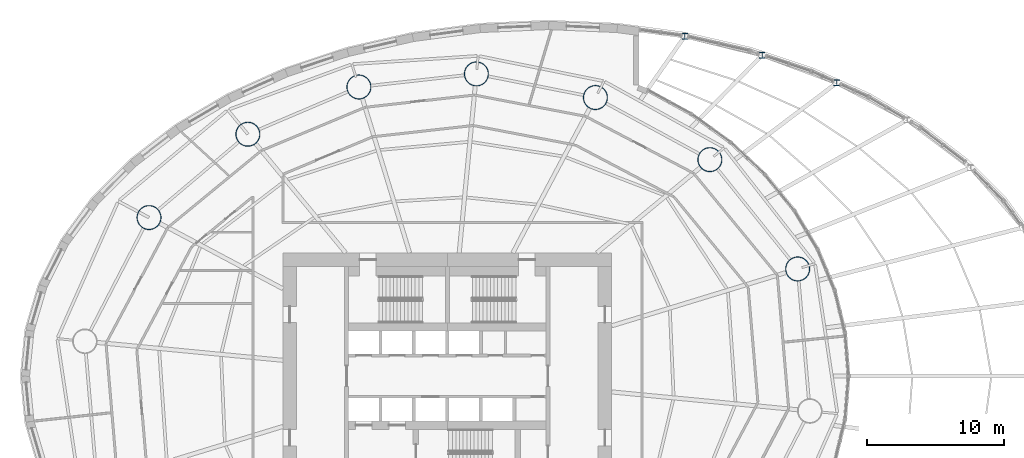
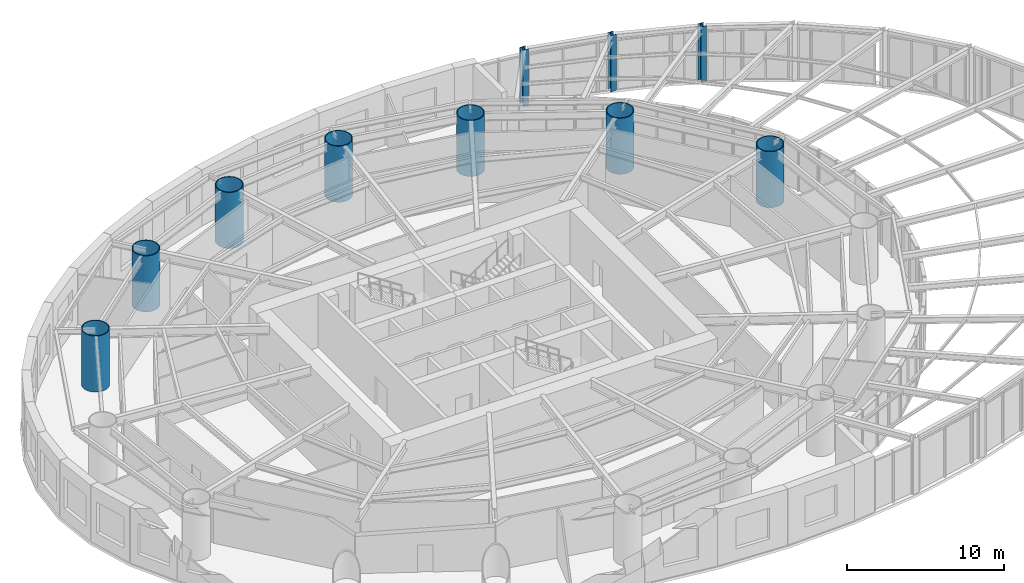
# One storey, part 2 of 23: 10 columns.
"""IFC4 building model written with IfcOpenShell, lengths in metres."""

import ifcopenshell
import ifcopenshell.guid

model = None  # the IFC model being written
_history = None  # IfcOwnerHistory: only IFC2X3 demands one
_inside = {}  # id of a spatial element -> (the spatial element, [elements in it])
_under = {}  # id of a project, library or spatial element -> (it, [spatial elements below it])
_declared = {}  # id of a project -> (the project, [libraries it declares])
_typed = {}  # id of a type object -> (the type object, [elements of that type])
_made_of = {}  # id of a material, layer set ... -> (it, [elements and type objects made of it])


def new_model(schema):
    """Start an empty IFC model of exactly this schema.

    Asked for "IFC4X3", IfcOpenShell would pick the latest addendum, in which some entities
    have other attributes; the version numbers below select the first issue.
    IFC2X3 requires an IfcOwnerHistory on every rooted entity: one is made here for all.
    """
    global model, _history
    if schema == "IFC4X3":
        model = ifcopenshell.file(schema_version=(4, 3, 0, 0))
    else:
        model = ifcopenshell.file(schema=schema)
    _inside.clear()
    _under.clear()
    _declared.clear()
    _typed.clear()
    _made_of.clear()
    _history = None
    if model.schema == "IFC2X3":
        org = make("IfcOrganization", Name="unknown")
        user = make(
            "IfcPersonAndOrganization",
            ThePerson=make("IfcPerson", FamilyName="unknown"),
            TheOrganization=org,
        )
        app = make(
            "IfcApplication",
            ApplicationDeveloper=org,
            Version="unknown",
            ApplicationFullName="unknown",
            ApplicationIdentifier="unknown",
        )
        _history = make(
            "IfcOwnerHistory",
            OwningUser=user,
            OwningApplication=app,
            ChangeAction="ADDED",
            CreationDate=0,
        )
    return model


def make(cls, **values):
    """One entity of the class cls with the attributes given. An attribute that is None is left unset."""
    return model.create_entity(
        cls, **{name: value for name, value in values.items() if value is not None}
    )


def rooted(cls, **values):
    """An entity with a GlobalId (a new one), such as an element, a storey or a relation."""
    return make(cls, GlobalId=ifcopenshell.guid.new(), OwnerHistory=_history, **values)


def si_unit(unit_type, name, prefix=None):
    """IfcSIUnit, for example si_unit("LENGTHUNIT", "METRE", prefix="MILLI")."""
    return make("IfcSIUnit", UnitType=unit_type, Prefix=prefix, Name=name)


def assignment(units):
    """IfcUnitAssignment: the units of a project."""
    return None if units is None else make("IfcUnitAssignment", Units=units)


def point(xyz):
    """IfcCartesianPoint."""
    return None if xyz is None else make("IfcCartesianPoint", Coordinates=xyz)


def direction(xyz):
    """IfcDirection."""
    return None if xyz is None else make("IfcDirection", DirectionRatios=xyz)


def frame(location, z_axis=None, x_axis=None):
    """IfcAxis2Placement3D, a coordinate frame: its origin and axes. An axis left out is left unset."""
    return make(
        "IfcAxis2Placement3D",
        Location=point(location),
        Axis=direction(z_axis),
        RefDirection=direction(x_axis),
    )


def frame_2d(location, x_axis=None):
    """IfcAxis2Placement2D, a coordinate frame in the plane: its origin and x axis."""
    return make(
        "IfcAxis2Placement2D", Location=point(location), RefDirection=direction(x_axis)
    )


def origin():
    """The frame at (0, 0, 0) with its axes left unset."""
    return frame((0.0, 0.0, 0.0))


def origin_2d():
    """The frame at (0, 0) in the plane with its x axis left unset."""
    return frame_2d((0.0, 0.0))


def place(relative_to, where):
    """IfcLocalPlacement: puts the frame where relative to a parent placement (None: the world)."""
    return make(
        "IfcLocalPlacement", PlacementRelTo=relative_to, RelativePlacement=where
    )


def context(
    kind, dimensions, precision=None, world=None, true_north=None, identifier=None
):
    """IfcGeometricRepresentationContext, for example the 3D "Model" context."""
    return make(
        "IfcGeometricRepresentationContext",
        ContextIdentifier=identifier,
        ContextType=kind,
        CoordinateSpaceDimension=dimensions,
        Precision=precision,
        WorldCoordinateSystem=world,
        TrueNorth=true_north,
    )


def subcontext(parent, identifier, kind, view, scale=None):
    """IfcGeometricRepresentationSubContext, for example "Body" below "Model"."""
    return make(
        "IfcGeometricRepresentationSubContext",
        ContextIdentifier=identifier,
        ContextType=kind,
        ParentContext=parent,
        TargetScale=scale,
        TargetView=view,
    )


def project(units=None, contexts=None):
    """IfcProject with its units and contexts."""
    return rooted(
        "IfcProject",
        Name="project",
        RepresentationContexts=contexts,
        UnitsInContext=assignment(units),
    )


def spatial(cls, under=None, at=None, **own):
    """A site, building, storey or space (cls), placed at a placement, below another one or the project."""
    s = rooted(cls, ObjectPlacement=at, **own)
    if under is not None:
        _under.setdefault(under.id(), (under, []))[1].append(s)
    return s


def profile(cls, at=None, kind="AREA", **sizes):
    """A parametric profile (cls). Its sizes go by their IFC names, for example OverallWidth=200.0."""
    return make(cls, ProfileType=kind, Position=at, **sizes)


def hollow_circle(**sizes):
    """IfcCircleHollowProfileDef."""
    return profile("IfcCircleHollowProfileDef", **sizes)


def i_section(**sizes):
    """IfcIShapeProfileDef."""
    return profile("IfcIShapeProfileDef", **sizes)


def extrude(swept, where, along, depth):
    """IfcExtrudedAreaSolid: the profile swept, set in the frame where, extruded along a direction by depth."""
    return make(
        "IfcExtrudedAreaSolid",
        SweptArea=swept,
        Position=where,
        ExtrudedDirection=direction(along),
        Depth=depth,
    )


def shape(context_of_items, identifier, shape_type, items):
    """IfcShapeRepresentation: the items that make up one representation, for example the "Body"."""
    return make(
        "IfcShapeRepresentation",
        ContextOfItems=context_of_items,
        RepresentationIdentifier=identifier,
        RepresentationType=shape_type,
        Items=items,
    )


def material(Name=None, Category=None):
    """IfcMaterial."""
    return make("IfcMaterial", Name=Name, Category=Category)


def material_profile(
    of_material, cross_section, Name=None, Category=None, Priority=None
):
    """IfcMaterialProfile: a cross section and its material."""
    return make(
        "IfcMaterialProfile",
        Name=Name,
        Material=of_material,
        Profile=cross_section,
        Priority=Priority,
        Category=Category,
    )


def profile_set(profiles, Name=None, composite=None):
    """IfcMaterialProfileSet."""
    return make(
        "IfcMaterialProfileSet",
        Name=Name,
        MaterialProfiles=profiles,
        CompositeProfile=composite,
    )


def made_of(thing, what):
    """Note that an element or type object is made of a material, layer set ...; save() writes the relation."""
    if what is not None:
        _made_of.setdefault(what.id(), (what, []))[1].append(thing)
    return thing


def type_object(cls, material=None, **own):
    """A type object (cls), such as IfcWallType, which elements share."""
    return made_of(rooted(cls, **own), material)


def element(
    cls,
    number,
    at=None,
    inside=None,
    cuts=None,
    type_object=None,
    material=None,
    context=None,
    identifier="Body",
    shape_type=None,
    held_by="IfcProductDefinitionShape",
    body=None,
    shapes=None,
    **own,
):
    """One element of the class cls, such as IfcWall. Its Tag is "e" and its number.

    at: its placement. inside: the storey or other place that contains it. cuts: it is an
    opening in that element (IfcRelVoidsElement). A single representation is given by context,
    identifier, shape_type and body (its items); several are given by shapes. held_by: the class
    of the entity that holds the representations. save() writes the other relations.
    """
    e = rooted(cls, Tag="e%d" % number, ObjectPlacement=at, **own)
    if body is not None:
        shapes = [shape(context, identifier, shape_type, body)]
    if shapes is not None:
        e.Representation = make(held_by, Representations=shapes)
    if inside is not None:
        _inside.setdefault(inside.id(), (inside, []))[1].append(e)
    if cuts is not None:
        rooted(
            "IfcRelVoidsElement", RelatingBuildingElement=cuts, RelatedOpeningElement=e
        )
    if type_object is not None:
        _typed.setdefault(type_object.id(), (type_object, []))[1].append(e)
    return made_of(e, material)


def aggregate(whole, parts):
    """IfcRelAggregates: a whole, such as a stair, and the parts it consists of."""
    return rooted("IfcRelAggregates", RelatingObject=whole, RelatedObjects=parts)


def save(model, path):
    """Write the relations noted so far, then the file.

    IfcRelAggregates (storeys below a building ...), IfcRelContainedInSpatialStructure (elements
    in a storey), IfcRelDefinesByType, IfcRelAssociatesMaterial and IfcRelDeclares: one each for
    every whole, place, type object, material and project.
    """
    for whole, parts in _under.values():
        aggregate(whole, parts)
    for where, things in _inside.values():
        rooted(
            "IfcRelContainedInSpatialStructure",
            RelatedElements=things,
            RelatingStructure=where,
        )
    for kind, things in _typed.values():
        rooted("IfcRelDefinesByType", RelatedObjects=things, RelatingType=kind)
    for what, things in _made_of.values():
        rooted("IfcRelAssociatesMaterial", RelatedObjects=things, RelatingMaterial=what)
    for by, libraries in _declared.values():
        rooted("IfcRelDeclares", RelatingContext=by, RelatedDefinitions=libraries)
    model.write(path)


model = new_model("IFC4")

# Units and contexts
model_context = context("Model", 3, precision=1e-05, world=origin(), true_north=direction((0.0, 1.0)))
body_context = subcontext(model_context, "Body", "Model", "MODEL_VIEW")
ifc_project = project(units=[si_unit("LENGTHUNIT", "METRE"), si_unit("AREAUNIT", "SQUARE_METRE"), si_unit("VOLUMEUNIT", "CUBIC_METRE"), si_unit("PLANEANGLEUNIT", "RADIAN"), si_unit("MASSUNIT", "GRAM", prefix="KILO")], contexts=[model_context])

# Site, building, storey
site_placement = place(None, origin())
site = spatial("IfcSite", under=ifc_project, at=site_placement, CompositionType="ELEMENT")
building_placement = place(site_placement, origin())
building = spatial("IfcBuilding", under=site, at=building_placement, Name="Vermilion Reach Broadcast Tower", CompositionType="ELEMENT")
storey_placement = place(building_placement, frame((0.0, 0.0, 31.5)))
storey = spatial("IfcBuildingStorey", under=building, at=storey_placement, Name="L04", CompositionType="ELEMENT", Elevation=31.5)

# Columns
ifc_material_1 = material(Name="Steel S460NL", Category="steel")
ifc_material_profile_1 = material_profile(ifc_material_1, i_section(OverallWidth=0.406982421875, OverallDepth=0.427978515625, WebThickness=0.02001953125, FlangeThickness=0.034912109375, at=origin_2d()), Name="S460NL HW 428x407x20x35")
ifc_profile_set_1 = profile_set([ifc_material_profile_1], Name="Steel S460NL")
column_type_1 = type_object("IfcColumnType", Name="AP HW 428x407x20x35", PredefinedType="COLUMN", material=ifc_profile_set_1)
for number, where, z_axis, x_axis, name in (
    (1, (22.43115234375, 21.408935546875, 0.0), (0.0, 0.0, 1.0), (1.0, 0.0, 0.0), "Atrium post AP13"),
    (2, (16.984619140625, 23.43505859375, 0.0), (0.0, 0.0, 1.0), (1.0, 0.0, 0.0), "Atrium post AP14"),
    (3, (11.337158203125, 24.81884765625, 0.0), (0.0, 0.0, 1.0), (1.0, 0.0, 0.0), "Atrium post AP15"),
):
    element("IfcColumn", number, at=place(storey_placement, frame(where, z_axis=z_axis, x_axis=x_axis)), inside=storey, type_object=column_type_1, Name=name, PredefinedType="COLUMN", context=body_context, shape_type="SweptSolid", body=[
        extrude(i_section(OverallWidth=0.406982421875, OverallDepth=0.427978515625, WebThickness=0.02001953125, FlangeThickness=0.034912109375, at=origin_2d()), origin(), (0.0, 0.0, 1.0), 4.35009765625),
    ])
ifc_material_2 = material(Name="Concrete C80 infill in steel S460NL tube", Category="concrete")
ifc_material_profile_2 = material_profile(ifc_material_2, hollow_circle(Radius=0.89990234375, WallThickness=0.06005859375, at=origin_2d()), Name="Concrete C80 infill in steel S460NL tube CFT 1800x60")
ifc_profile_set_2 = profile_set([ifc_material_profile_2], Name="Concrete C80 infill in steel S460NL tube")
column_type_2 = type_object("IfcColumnType", Name="MC1 CFT 1800x60", PredefinedType="COLUMN", material=ifc_profile_set_2)
for number, where, z_axis, x_axis, name in (
    (4, (19.575439453125, 7.823974609375, 0.0), (0.0, 0.0, 1.0), (1.0, 0.0, 0.0), "Mega-column MC1-01"),
    (5, (13.166259765625, 15.804931640625, 0.0), (0.0, 0.0, 1.0), (1.0, 0.0, 0.0), "Mega-column MC1-02"),
    (6, (4.809814453125, 20.3388671875, 0.0), (0.0, 0.0, 1.0), (1.0, 0.0, 0.0), "Mega-column MC1-03"),
    (7, (-3.87939453125, 22.06396484375, 0.0), (0.0, 0.0, 1.0), (1.0, 0.0, 0.0), "Mega-column MC1-04"),
    (8, (-12.45751953125, 21.108154296875, 0.0), (0.0, 0.0, 1.0), (1.0, 0.0, 0.0), "Mega-column MC1-05"),
    (9, (-20.563232421875, 17.660400390625, 0.0), (0.0, 0.0, 1.0), (1.0, 0.0, 0.0), "Mega-column MC1-06"),
    (10, (-27.77978515625, 11.57568359375, 0.0), (0.0, 0.0, 1.0), (1.0, 0.0, 0.0), "Mega-column MC1-07"),
):
    element("IfcColumn", number, at=place(storey_placement, frame(where, z_axis=z_axis, x_axis=x_axis)), inside=storey, type_object=column_type_2, Name=name, PredefinedType="COLUMN", context=body_context, shape_type="SweptSolid", body=[
        extrude(hollow_circle(Radius=0.89990234375, WallThickness=0.06005859375, at=origin_2d()), origin(), (0.0, 0.0, 1.0), 4.35009765625),
    ])

save(model, "model.ifc")
